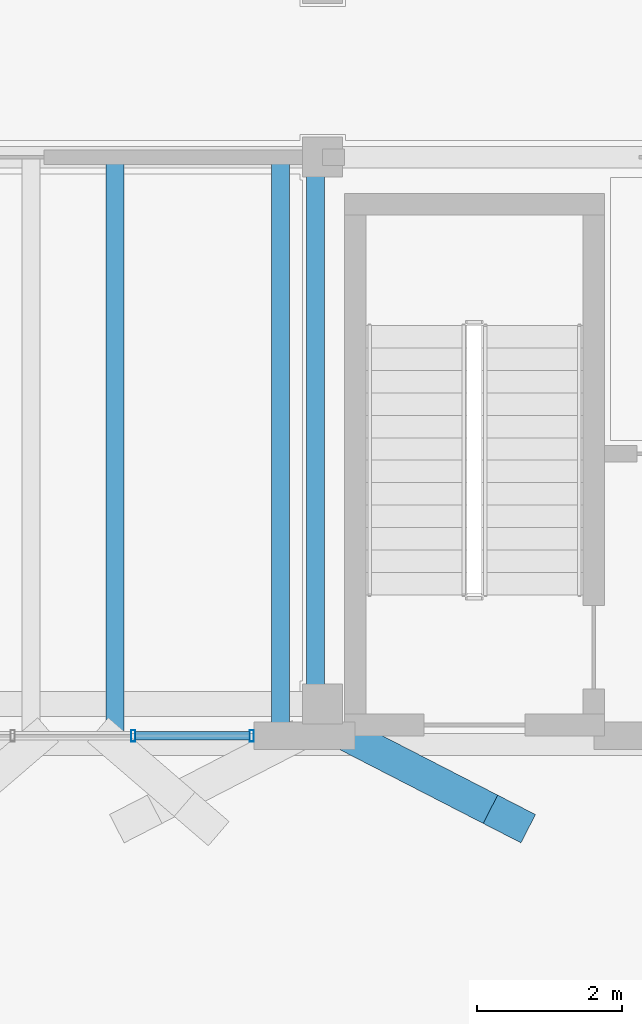
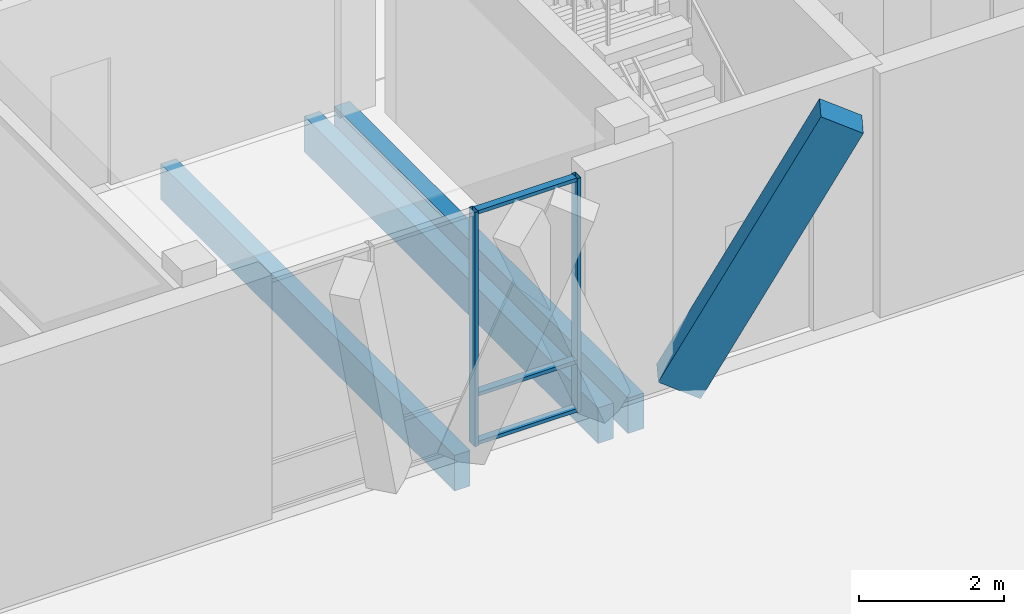
# One storey, part 166 of 233: 6 members, 3 beams, 1 element without a shape of its own.
"""IFC4 building model written with IfcOpenShell, lengths in metres."""

from ifc_helpers import new_model, si_unit, direction, frame, origin, origin_2d, place, context, subcontext, project, spatial, rectangle, hollow_rectangle, extrude, material, material_profile, profile_set, type_object, element, aggregate, save


model = new_model("IFC4")

# Units and contexts
model_context = context("Model", 3, precision=1e-05, world=origin(), true_north=direction((0.0, 1.0)))
body_context = subcontext(model_context, "Body", "Model", "MODEL_VIEW")
ifc_project = project(units=[si_unit("LENGTHUNIT", "METRE"), si_unit("AREAUNIT", "SQUARE_METRE"), si_unit("VOLUMEUNIT", "CUBIC_METRE"), si_unit("PLANEANGLEUNIT", "RADIAN"), si_unit("MASSUNIT", "GRAM", prefix="KILO")], contexts=[model_context])

# Site, building, storey
site_placement = place(None, origin())
site = spatial("IfcSite", under=ifc_project, at=site_placement, CompositionType="ELEMENT")
building_placement = place(site_placement, origin())
building = spatial("IfcBuilding", under=site, at=building_placement, Name="Zavelmont Quarter", CompositionType="ELEMENT")
storey_placement = place(building_placement, origin())
storey = spatial("IfcBuildingStorey", under=building, at=storey_placement, Name="L00", CompositionType="ELEMENT", Elevation=0.0)

# Beams
ifc_material_1 = material(Name="Concrete C40/50", Category="concrete")
ifc_material_profile_1 = material_profile(ifc_material_1, rectangle(XDim=0.25, YDim=0.60009765625, at=origin_2d()), Name="RC250X600")
ifc_profile_set_1 = profile_set([ifc_material_profile_1], Name="Concrete C40/50")
beam_type = type_object("IfcBeamType", Name="BM18", PredefinedType="BEAM", material=ifc_profile_set_1)
for number, where, z_axis, x_axis, name in (
    (1, (146.719970703125, 105.60009765625, -0.300048828125), (0.0, -1.0, 0.0), (1.0, 0.0, 0.0), "L00 beam BM18 22/Q to 22/P"),
    (2, (147.199951171875, 105.60009765625, -0.300048828125), (0.0, -1.0, 0.0), (1.0, 0.0, 0.0), "L00 beam BM18 22/Q to 22/P"),
    (3, (144.429931640625, 105.60009765625, -0.300048828125), (0.0, -1.0, 0.0), (1.0, 0.0, 0.0), "L00 beam BM18 22/Q to 22/P"),
):
    element("IfcBeam", number, at=place(storey_placement, frame(where, z_axis=z_axis, x_axis=x_axis)), inside=storey, type_object=beam_type, Name=name, PredefinedType="BEAM", context=body_context, shape_type="SweptSolid", body=[
        extrude(rectangle(XDim=0.25, YDim=0.60009765625, at=origin_2d()), origin(), (0.0, 0.0, 1.0), 8.1201171875),
    ])

# Curtain wall, members
ifc_material_2 = material(Name="Thermally broken aluminium and double low-E safety glazing", Category="aluminium")
curtain_wall_type = type_object("IfcCurtainWallType", Name="CW-500X395", PredefinedType="NOTDEFINED", material=ifc_material_2)
curtain_wall_placement = place(storey_placement, origin())
curtain_wall = element("IfcCurtainWall", 4, at=curtain_wall_placement, inside=storey, type_object=curtain_wall_type, Name="L00 unitised curtain wall CW-500X395", PredefinedType="NOTDEFINED")
ifc_material_3 = material(Name="Powder-coated aluminium EN AW-6063-T6", Category="aluminium")
ifc_material_profile_2 = material_profile(ifc_material_3, hollow_rectangle(XDim=0.06005859375, YDim=0.159912109375, WallThickness=0.00390625, at=origin_2d()), Name="CWM60X160")
ifc_profile_set_2 = profile_set([ifc_material_profile_2], Name="Powder-coated aluminium EN AW-6063-T6")
member_type_1 = type_object("IfcMemberType", Name="CWM01", PredefinedType="MULLION", material=ifc_profile_set_2)
member_1_placement = place(storey_placement, frame((144.683349609375, 97.60009765625, 0.0), z_axis=(0.0, 0.0, 1.0), x_axis=(1.0, 0.0, 0.0)))
member_1 = element("IfcMember", 5, at=member_1_placement, type_object=member_type_1, Name="CW-500X395 mullion 3", PredefinedType="MULLION", context=body_context, shape_type="SweptSolid", body=[
    extrude(hollow_rectangle(XDim=0.06005859375, YDim=0.159912109375, WallThickness=0.00390625, at=origin_2d()), origin(), (0.0, 0.0, 1.0), 3.949951171875),
])
member_2_placement = place(storey_placement, frame((146.320068359375, 97.60009765625, 0.0), z_axis=(0.0, 0.0, 1.0), x_axis=(1.0, 0.0, 0.0)))
member_2 = element("IfcMember", 6, at=member_2_placement, type_object=member_type_1, Name="CW-500X395 mullion 4", PredefinedType="MULLION", context=body_context, shape_type="SweptSolid", body=[
    extrude(hollow_rectangle(XDim=0.06005859375, YDim=0.159912109375, WallThickness=0.00390625, at=origin_2d()), origin(), (0.0, 0.0, 1.0), 3.949951171875),
])
ifc_material_profile_3 = material_profile(ifc_material_3, hollow_rectangle(XDim=0.1201171875, YDim=0.06005859375, WallThickness=0.00390625, at=origin_2d()), Name="CWT60X120")
ifc_profile_set_3 = profile_set([ifc_material_profile_3], Name="Powder-coated aluminium EN AW-6063-T6")
member_type_2 = type_object("IfcMemberType", Name="CWT01", PredefinedType="NOTDEFINED", material=ifc_profile_set_3)
member_3_placement = place(storey_placement, frame((144.71337890625, 97.60009765625, 0.030029296875), z_axis=(1.0, 0.0, 0.0), x_axis=(0.0, 1.0, 0.0)))
member_3 = element("IfcMember", 7, at=member_3_placement, type_object=member_type_2, Name="CW-500X395 transom 3.1", ObjectType="TRANSOM", PredefinedType="USERDEFINED", context=body_context, shape_type="SweptSolid", body=[
    extrude(hollow_rectangle(XDim=0.1201171875, YDim=0.06005859375, WallThickness=0.00390625, at=origin_2d()), origin(), (0.0, 0.0, 1.0), 1.57666015625),
])
member_4_placement = place(storey_placement, frame((144.71337890625, 97.60009765625, 0.85009765625), z_axis=(1.0, 0.0, 0.0), x_axis=(0.0, 1.0, 0.0)))
member_4 = element("IfcMember", 8, at=member_4_placement, type_object=member_type_2, Name="CW-500X395 transom 3.2", ObjectType="TRANSOM", PredefinedType="USERDEFINED", context=body_context, shape_type="SweptSolid", body=[
    extrude(hollow_rectangle(XDim=0.1201171875, YDim=0.06005859375, WallThickness=0.00390625, at=origin_2d()), origin(), (0.0, 0.0, 1.0), 1.57666015625),
])
member_5_placement = place(storey_placement, frame((144.71337890625, 97.60009765625, 3.919921875), z_axis=(1.0, 0.0, 0.0), x_axis=(0.0, 1.0, 0.0)))
member_5 = element("IfcMember", 9, at=member_5_placement, type_object=member_type_2, Name="CW-500X395 transom 3.3", ObjectType="TRANSOM", PredefinedType="USERDEFINED", context=body_context, shape_type="SweptSolid", body=[
    extrude(hollow_rectangle(XDim=0.1201171875, YDim=0.06005859375, WallThickness=0.00390625, at=origin_2d()), origin(), (0.0, 0.0, 1.0), 1.57666015625),
])
aggregate(curtain_wall, [member_1, member_2, member_3, member_4, member_5])

# Member
ifc_material_4 = material(Name="White architectural precast concrete C40/50", Category="concrete")
ifc_material_profile_4 = material_profile(ifc_material_4, rectangle(XDim=0.43994140625, YDim=0.659912109375, at=origin_2d()), Name="PCR320X480")
ifc_profile_set_4 = profile_set([ifc_material_profile_4], Name="White architectural precast concrete C40/50")
member_type_3 = type_object("IfcMemberType", Name="VR01M", PredefinedType="CHORD", material=ifc_profile_set_4)
member_6_placement = place(storey_placement, frame((147.8798828125, 97.47998046875, 0.0), z_axis=(0.405093200499, -0.208399977186, 0.890207250261), x_axis=(0.457463158029, 0.889228575253, 0.0)))
element("IfcMember", 10, at=member_6_placement, inside=storey, type_object=member_type_3, Name="L00 member VR01M 22/P to 22/P", PredefinedType="CHORD", context=body_context, shape_type="SweptSolid", body=[
    extrude(rectangle(XDim=0.43994140625, YDim=0.659912109375, at=origin_2d()), origin(), (0.0, 0.0, 1.0), 4.942626953125),
])

save(model, "model.ifc")
